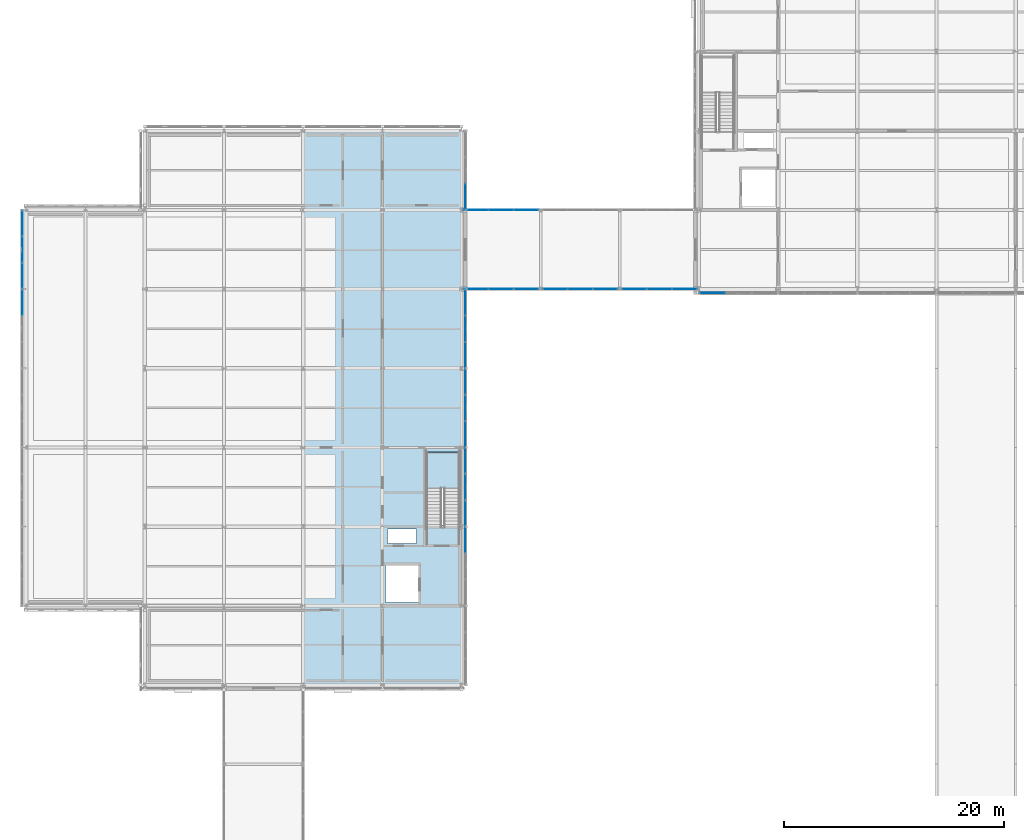
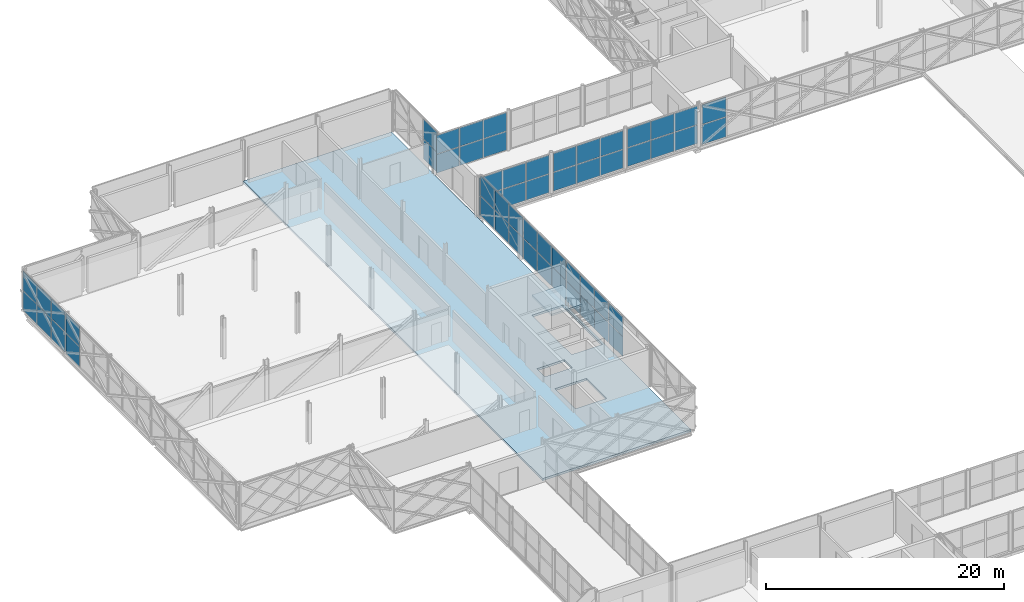
# One storey, part 79 of 126: 56 plates, 2 slabs, 13 elements without a shape of their own.
"""IFC4 building model written with IfcOpenShell, lengths in metres."""

from ifc_helpers import new_model, si_unit, direction, frame, origin, origin_2d, place, context, subcontext, project, spatial, polyline, rectangle, outline, extrude, material, layer, layer_set, type_object, element, aggregate, save


model = new_model("IFC4")

# Units and contexts
model_context = context("Model", 3, precision=1e-05, world=origin(), true_north=direction((0.0, 1.0)))
body_context = subcontext(model_context, "Body", "Model", "MODEL_VIEW")
ifc_project = project(units=[si_unit("LENGTHUNIT", "METRE"), si_unit("AREAUNIT", "SQUARE_METRE"), si_unit("VOLUMEUNIT", "CUBIC_METRE"), si_unit("PLANEANGLEUNIT", "RADIAN"), si_unit("MASSUNIT", "GRAM", prefix="KILO")], contexts=[model_context])

# Site, building, storey
site_placement = place(None, origin())
site = spatial("IfcSite", under=ifc_project, at=site_placement, CompositionType="ELEMENT")
building_placement = place(site_placement, origin())
building = spatial("IfcBuilding", under=site, at=building_placement, Name="Zlatovets Crest Museum", CompositionType="ELEMENT")
storey_placement = place(building_placement, frame((0.0, 0.0, 8.699951171875)))
storey = spatial("IfcBuildingStorey", under=building, at=storey_placement, Name="L02", CompositionType="ELEMENT", Elevation=8.699951171875)

# Curtain wall, plates
ifc_material_1 = material(Name="Bronze-anodised aluminium and low-E triple glass", Category="aluminium")
curtain_wall_type_1 = type_object("IfcCurtainWallType", Name="CW_CW-BR3-L02-S69", PredefinedType="NOTDEFINED", material=ifc_material_1)
curtain_wall_1_placement = place(storey_placement, origin())
curtain_wall_1 = element("IfcCurtainWall", 1, at=curtain_wall_1_placement, inside=storey, type_object=curtain_wall_type_1, Name="Northwest Crest Glazed Link Bridge L02 Glazed Bridge Curtain Wall", PredefinedType="NOTDEFINED")
ifc_material_2 = material(Name="Solar-control low-E laminated triple glass", Category="glass")
ifc_layer_1 = layer(ifc_material_2, 0.030029296875)
ifc_layer_set_1 = layer_set([ifc_layer_1], Name="Solar-control low-E laminated triple glass")
plate_type_1 = type_object("IfcPlateType", Name="CWPanel_CW-BR3-L02-S69", PredefinedType="CURTAIN_PANEL", material=ifc_layer_set_1)
plate_1_placement = place(storey_placement, frame((37.31494140625, 86.39990234375, 0.06005859375), z_axis=(0.0, 0.0, 1.0), x_axis=(1.0, 0.0, 0.0)))
plate_1 = element("IfcPlate", 2, at=plate_1_placement, type_object=plate_type_1, Name="CW-BR3-L02-S69 panel 1.1", PredefinedType="CURTAIN_PANEL", context=body_context, shape_type="SweptSolid", body=[
    extrude(rectangle(XDim=2.2099609375, YDim=0.030029296875, at=origin_2d()), origin(), (0.0, 0.0, 1.0), 1.89990234375),
])
plate_2_placement = place(storey_placement, frame((37.31494140625, 86.39990234375, 2.02001953125), z_axis=(0.0, 0.0, 1.0), x_axis=(1.0, 0.0, 0.0)))
plate_2 = element("IfcPlate", 3, at=plate_2_placement, type_object=plate_type_1, Name="CW-BR3-L02-S69 panel 1.2", PredefinedType="CURTAIN_PANEL", context=body_context, shape_type="SweptSolid", body=[
    extrude(rectangle(XDim=2.2099609375, YDim=0.030029296875, at=origin_2d()), origin(), (0.0, 0.0, 1.0), 1.89990234375),
])
plate_3_placement = place(storey_placement, frame((39.60009765625, 86.39990234375, 0.06005859375), z_axis=(0.0, 0.0, 1.0), x_axis=(1.0, 0.0, 0.0)))
plate_3 = element("IfcPlate", 4, at=plate_3_placement, type_object=plate_type_1, Name="CW-BR3-L02-S69 panel 2.1", PredefinedType="CURTAIN_PANEL", context=body_context, shape_type="SweptSolid", body=[
    extrude(rectangle(XDim=2.239990234375, YDim=0.030029296875, at=origin_2d()), origin(), (0.0, 0.0, 1.0), 1.89990234375),
])
plate_4_placement = place(storey_placement, frame((39.60009765625, 86.39990234375, 2.02001953125), z_axis=(0.0, 0.0, 1.0), x_axis=(1.0, 0.0, 0.0)))
plate_4 = element("IfcPlate", 5, at=plate_4_placement, type_object=plate_type_1, Name="CW-BR3-L02-S69 panel 2.2", PredefinedType="CURTAIN_PANEL", context=body_context, shape_type="SweptSolid", body=[
    extrude(rectangle(XDim=2.239990234375, YDim=0.030029296875, at=origin_2d()), origin(), (0.0, 0.0, 1.0), 1.89990234375),
])
plate_5_placement = place(storey_placement, frame((41.885009765625, 86.39990234375, 0.06005859375), z_axis=(0.0, 0.0, 1.0), x_axis=(1.0, 0.0, 0.0)))
plate_5 = element("IfcPlate", 6, at=plate_5_placement, type_object=plate_type_1, Name="CW-BR3-L02-S69 panel 3.1", PredefinedType="CURTAIN_PANEL", context=body_context, shape_type="SweptSolid", body=[
    extrude(rectangle(XDim=2.2099609375, YDim=0.030029296875, at=origin_2d()), origin(), (0.0, 0.0, 1.0), 1.89990234375),
])
plate_6_placement = place(storey_placement, frame((41.885009765625, 86.39990234375, 2.02001953125), z_axis=(0.0, 0.0, 1.0), x_axis=(1.0, 0.0, 0.0)))
plate_6 = element("IfcPlate", 7, at=plate_6_placement, type_object=plate_type_1, Name="CW-BR3-L02-S69 panel 3.2", PredefinedType="CURTAIN_PANEL", context=body_context, shape_type="SweptSolid", body=[
    extrude(rectangle(XDim=2.2099609375, YDim=0.030029296875, at=origin_2d()), origin(), (0.0, 0.0, 1.0), 1.89990234375),
])
aggregate(curtain_wall_1, [plate_1, plate_2, plate_3, plate_4, plate_5, plate_6])

curtain_wall_2_placement = place(storey_placement, origin())
curtain_wall_2 = element("IfcCurtainWall", 8, at=curtain_wall_2_placement, inside=storey, type_object=curtain_wall_type_1, Name="Northwest Crest Glazed Link Bridge L02 Glazed Bridge Curtain Wall", PredefinedType="NOTDEFINED")
plate_7_placement = place(storey_placement, frame((44.514892578125, 86.39990234375, 0.06005859375), z_axis=(0.0, 0.0, 1.0), x_axis=(1.0, 0.0, 0.0)))
plate_7 = element("IfcPlate", 9, at=plate_7_placement, type_object=plate_type_1, Name="CW-BR3-L02-S69 panel 1.1", PredefinedType="CURTAIN_PANEL", context=body_context, shape_type="SweptSolid", body=[
    extrude(rectangle(XDim=2.2099609375, YDim=0.030029296875, at=origin_2d()), origin(), (0.0, 0.0, 1.0), 1.89990234375),
])
plate_8_placement = place(storey_placement, frame((44.514892578125, 86.39990234375, 2.02001953125), z_axis=(0.0, 0.0, 1.0), x_axis=(1.0, 0.0, 0.0)))
plate_8 = element("IfcPlate", 10, at=plate_8_placement, type_object=plate_type_1, Name="CW-BR3-L02-S69 panel 1.2", PredefinedType="CURTAIN_PANEL", context=body_context, shape_type="SweptSolid", body=[
    extrude(rectangle(XDim=2.2099609375, YDim=0.030029296875, at=origin_2d()), origin(), (0.0, 0.0, 1.0), 1.89990234375),
])
plate_9_placement = place(storey_placement, frame((46.800048828125, 86.39990234375, 0.06005859375), z_axis=(0.0, 0.0, 1.0), x_axis=(1.0, 0.0, 0.0)))
plate_9 = element("IfcPlate", 11, at=plate_9_placement, type_object=plate_type_1, Name="CW-BR3-L02-S69 panel 2.1", PredefinedType="CURTAIN_PANEL", context=body_context, shape_type="SweptSolid", body=[
    extrude(rectangle(XDim=2.239990234375, YDim=0.030029296875, at=origin_2d()), origin(), (0.0, 0.0, 1.0), 1.89990234375),
])
plate_10_placement = place(storey_placement, frame((46.800048828125, 86.39990234375, 2.02001953125), z_axis=(0.0, 0.0, 1.0), x_axis=(1.0, 0.0, 0.0)))
plate_10 = element("IfcPlate", 12, at=plate_10_placement, type_object=plate_type_1, Name="CW-BR3-L02-S69 panel 2.2", PredefinedType="CURTAIN_PANEL", context=body_context, shape_type="SweptSolid", body=[
    extrude(rectangle(XDim=2.239990234375, YDim=0.030029296875, at=origin_2d()), origin(), (0.0, 0.0, 1.0), 1.89990234375),
])
plate_11_placement = place(storey_placement, frame((49.0849609375, 86.39990234375, 0.06005859375), z_axis=(0.0, 0.0, 1.0), x_axis=(1.0, 0.0, 0.0)))
plate_11 = element("IfcPlate", 13, at=plate_11_placement, type_object=plate_type_1, Name="CW-BR3-L02-S69 panel 3.1", PredefinedType="CURTAIN_PANEL", context=body_context, shape_type="SweptSolid", body=[
    extrude(rectangle(XDim=2.2099609375, YDim=0.030029296875, at=origin_2d()), origin(), (0.0, 0.0, 1.0), 1.89990234375),
])
plate_12_placement = place(storey_placement, frame((49.0849609375, 86.39990234375, 2.02001953125), z_axis=(0.0, 0.0, 1.0), x_axis=(1.0, 0.0, 0.0)))
plate_12 = element("IfcPlate", 14, at=plate_12_placement, type_object=plate_type_1, Name="CW-BR3-L02-S69 panel 3.2", PredefinedType="CURTAIN_PANEL", context=body_context, shape_type="SweptSolid", body=[
    extrude(rectangle(XDim=2.2099609375, YDim=0.030029296875, at=origin_2d()), origin(), (0.0, 0.0, 1.0), 1.89990234375),
])
aggregate(curtain_wall_2, [plate_7, plate_8, plate_9, plate_10, plate_11, plate_12])

curtain_wall_3_placement = place(storey_placement, origin())
curtain_wall_3 = element("IfcCurtainWall", 15, at=curtain_wall_3_placement, inside=storey, type_object=curtain_wall_type_1, Name="Northwest Crest Glazed Link Bridge L02 Glazed Bridge Curtain Wall", PredefinedType="NOTDEFINED")
plate_13_placement = place(storey_placement, frame((51.715087890625, 86.39990234375, 0.06005859375), z_axis=(0.0, 0.0, 1.0), x_axis=(1.0, 0.0, 0.0)))
plate_13 = element("IfcPlate", 16, at=plate_13_placement, type_object=plate_type_1, Name="CW-BR3-L02-S69 panel 1.1", PredefinedType="CURTAIN_PANEL", context=body_context, shape_type="SweptSolid", body=[
    extrude(rectangle(XDim=2.2099609375, YDim=0.030029296875, at=origin_2d()), origin(), (0.0, 0.0, 1.0), 1.89990234375),
])
plate_14_placement = place(storey_placement, frame((51.715087890625, 86.39990234375, 2.02001953125), z_axis=(0.0, 0.0, 1.0), x_axis=(1.0, 0.0, 0.0)))
plate_14 = element("IfcPlate", 17, at=plate_14_placement, type_object=plate_type_1, Name="CW-BR3-L02-S69 panel 1.2", PredefinedType="CURTAIN_PANEL", context=body_context, shape_type="SweptSolid", body=[
    extrude(rectangle(XDim=2.2099609375, YDim=0.030029296875, at=origin_2d()), origin(), (0.0, 0.0, 1.0), 1.89990234375),
])
plate_15_placement = place(storey_placement, frame((54.0, 86.39990234375, 0.06005859375), z_axis=(0.0, 0.0, 1.0), x_axis=(1.0, 0.0, 0.0)))
plate_15 = element("IfcPlate", 18, at=plate_15_placement, type_object=plate_type_1, Name="CW-BR3-L02-S69 panel 2.1", PredefinedType="CURTAIN_PANEL", context=body_context, shape_type="SweptSolid", body=[
    extrude(rectangle(XDim=2.239990234375, YDim=0.030029296875, at=origin_2d()), origin(), (0.0, 0.0, 1.0), 1.89990234375),
])
plate_16_placement = place(storey_placement, frame((54.0, 86.39990234375, 2.02001953125), z_axis=(0.0, 0.0, 1.0), x_axis=(1.0, 0.0, 0.0)))
plate_16 = element("IfcPlate", 19, at=plate_16_placement, type_object=plate_type_1, Name="CW-BR3-L02-S69 panel 2.2", PredefinedType="CURTAIN_PANEL", context=body_context, shape_type="SweptSolid", body=[
    extrude(rectangle(XDim=2.239990234375, YDim=0.030029296875, at=origin_2d()), origin(), (0.0, 0.0, 1.0), 1.89990234375),
])
plate_17_placement = place(storey_placement, frame((56.284912109375, 86.39990234375, 0.06005859375), z_axis=(0.0, 0.0, 1.0), x_axis=(1.0, 0.0, 0.0)))
plate_17 = element("IfcPlate", 20, at=plate_17_placement, type_object=plate_type_1, Name="CW-BR3-L02-S69 panel 3.1", PredefinedType="CURTAIN_PANEL", context=body_context, shape_type="SweptSolid", body=[
    extrude(rectangle(XDim=2.2099609375, YDim=0.030029296875, at=origin_2d()), origin(), (0.0, 0.0, 1.0), 1.89990234375),
])
plate_18_placement = place(storey_placement, frame((56.284912109375, 86.39990234375, 2.02001953125), z_axis=(0.0, 0.0, 1.0), x_axis=(1.0, 0.0, 0.0)))
plate_18 = element("IfcPlate", 21, at=plate_18_placement, type_object=plate_type_1, Name="CW-BR3-L02-S69 panel 3.2", PredefinedType="CURTAIN_PANEL", context=body_context, shape_type="SweptSolid", body=[
    extrude(rectangle(XDim=2.2099609375, YDim=0.030029296875, at=origin_2d()), origin(), (0.0, 0.0, 1.0), 1.89990234375),
])
aggregate(curtain_wall_3, [plate_13, plate_14, plate_15, plate_16, plate_17, plate_18])

curtain_wall_4_placement = place(storey_placement, origin())
curtain_wall_4 = element("IfcCurtainWall", 22, at=curtain_wall_4_placement, inside=storey, type_object=curtain_wall_type_1, Name="Northwest Crest Glazed Link Bridge L02 Glazed Bridge Curtain Wall", PredefinedType="NOTDEFINED")
plate_19_placement = place(storey_placement, frame((37.31494140625, 93.60009765625, 0.06005859375), z_axis=(0.0, 0.0, 1.0), x_axis=(1.0, 0.0, 0.0)))
plate_19 = element("IfcPlate", 23, at=plate_19_placement, type_object=plate_type_1, Name="CW-BR3-L02-S69 panel 1.1", PredefinedType="CURTAIN_PANEL", context=body_context, shape_type="SweptSolid", body=[
    extrude(rectangle(XDim=2.2099609375, YDim=0.030029296875, at=origin_2d()), origin(), (0.0, 0.0, 1.0), 1.89990234375),
])
plate_20_placement = place(storey_placement, frame((37.31494140625, 93.60009765625, 2.02001953125), z_axis=(0.0, 0.0, 1.0), x_axis=(1.0, 0.0, 0.0)))
plate_20 = element("IfcPlate", 24, at=plate_20_placement, type_object=plate_type_1, Name="CW-BR3-L02-S69 panel 1.2", PredefinedType="CURTAIN_PANEL", context=body_context, shape_type="SweptSolid", body=[
    extrude(rectangle(XDim=2.2099609375, YDim=0.030029296875, at=origin_2d()), origin(), (0.0, 0.0, 1.0), 1.89990234375),
])
plate_21_placement = place(storey_placement, frame((39.60009765625, 93.60009765625, 0.06005859375), z_axis=(0.0, 0.0, 1.0), x_axis=(1.0, 0.0, 0.0)))
plate_21 = element("IfcPlate", 25, at=plate_21_placement, type_object=plate_type_1, Name="CW-BR3-L02-S69 panel 2.1", PredefinedType="CURTAIN_PANEL", context=body_context, shape_type="SweptSolid", body=[
    extrude(rectangle(XDim=2.239990234375, YDim=0.030029296875, at=origin_2d()), origin(), (0.0, 0.0, 1.0), 1.89990234375),
])
plate_22_placement = place(storey_placement, frame((39.60009765625, 93.60009765625, 2.02001953125), z_axis=(0.0, 0.0, 1.0), x_axis=(1.0, 0.0, 0.0)))
plate_22 = element("IfcPlate", 26, at=plate_22_placement, type_object=plate_type_1, Name="CW-BR3-L02-S69 panel 2.2", PredefinedType="CURTAIN_PANEL", context=body_context, shape_type="SweptSolid", body=[
    extrude(rectangle(XDim=2.239990234375, YDim=0.030029296875, at=origin_2d()), origin(), (0.0, 0.0, 1.0), 1.89990234375),
])
plate_23_placement = place(storey_placement, frame((41.885009765625, 93.60009765625, 0.06005859375), z_axis=(0.0, 0.0, 1.0), x_axis=(1.0, 0.0, 0.0)))
plate_23 = element("IfcPlate", 27, at=plate_23_placement, type_object=plate_type_1, Name="CW-BR3-L02-S69 panel 3.1", PredefinedType="CURTAIN_PANEL", context=body_context, shape_type="SweptSolid", body=[
    extrude(rectangle(XDim=2.2099609375, YDim=0.030029296875, at=origin_2d()), origin(), (0.0, 0.0, 1.0), 1.89990234375),
])
plate_24_placement = place(storey_placement, frame((41.885009765625, 93.60009765625, 2.02001953125), z_axis=(0.0, 0.0, 1.0), x_axis=(1.0, 0.0, 0.0)))
plate_24 = element("IfcPlate", 28, at=plate_24_placement, type_object=plate_type_1, Name="CW-BR3-L02-S69 panel 3.2", PredefinedType="CURTAIN_PANEL", context=body_context, shape_type="SweptSolid", body=[
    extrude(rectangle(XDim=2.2099609375, YDim=0.030029296875, at=origin_2d()), origin(), (0.0, 0.0, 1.0), 1.89990234375),
])
aggregate(curtain_wall_4, [plate_19, plate_20, plate_21, plate_22, plate_23, plate_24])

curtain_wall_type_2 = type_object("IfcCurtainWallType", Name="CW_CW-V1-L02-M0", PredefinedType="NOTDEFINED", material=ifc_material_1)
curtain_wall_5_placement = place(storey_placement, origin())
curtain_wall_5 = element("IfcCurtainWall", 29, at=curtain_wall_5_placement, inside=storey, type_object=curtain_wall_type_2, Name="V1 L02 Secession Foyer Clear Curtain Wall", PredefinedType="NOTDEFINED")
ifc_layer_2 = layer(ifc_material_2, 0.028076171875)
ifc_layer_set_2 = layer_set([ifc_layer_2], Name="Solar-control low-E laminated triple glass")
plate_type_2 = type_object("IfcPlateType", Name="CWPanel_CW-V1-L02-M0", PredefinedType="CURTAIN_PANEL", material=ifc_layer_set_2)
plate_25_placement = place(storey_placement, frame((58.81494140625, 86.06005859375, 0.06005859375), z_axis=(0.0, 0.0, 1.0), x_axis=(1.0, 0.0, 0.0)))
plate_25 = element("IfcPlate", 30, at=plate_25_placement, type_object=plate_type_2, Name="CW-V1-L02-M0 panel 1.1", PredefinedType="CURTAIN_PANEL", context=body_context, shape_type="SweptSolid", body=[
    extrude(rectangle(XDim=2.31005859375, YDim=0.028076171875, at=origin_2d()), origin(), (0.0, 0.0, 1.0), 2.010009765625),
])
plate_26_placement = place(storey_placement, frame((58.81494140625, 86.06005859375, 2.1298828125), z_axis=(0.0, 0.0, 1.0), x_axis=(1.0, 0.0, 0.0)))
plate_26 = element("IfcPlate", 31, at=plate_26_placement, type_object=plate_type_2, Name="CW-V1-L02-M0 panel 1.2", PredefinedType="CURTAIN_PANEL", context=body_context, shape_type="SweptSolid", body=[
    extrude(rectangle(XDim=2.31005859375, YDim=0.028076171875, at=origin_2d()), origin(), (0.0, 0.0, 1.0), 2.010009765625),
])
aggregate(curtain_wall_5, [plate_25, plate_26])

curtain_wall_type_3 = type_object("IfcCurtainWallType", Name="CW_CW-V4-L02-M0", PredefinedType="NOTDEFINED", material=ifc_material_1)
curtain_wall_6_placement = place(storey_placement, origin())
curtain_wall_6 = element("IfcCurtainWall", 32, at=curtain_wall_6_placement, inside=storey, type_object=curtain_wall_type_3, Name="V4 L02 Secession Foyer Clear Curtain Wall", PredefinedType="NOTDEFINED")
ifc_layer_3 = layer(ifc_material_2, 0.028076171875)
ifc_layer_set_3 = layer_set([ifc_layer_3], Name="Solar-control low-E laminated triple glass")
plate_type_3 = type_object("IfcPlateType", Name="CWPanel_CW-V4-L02-M0", PredefinedType="CURTAIN_PANEL", material=ifc_layer_set_3)
plate_27_placement = place(storey_placement, frame((36.340087890625, 80.4150390625, 0.06005859375), z_axis=(0.0, 0.0, 1.0), x_axis=(0.0, 1.0, 0.0)))
plate_27 = element("IfcPlate", 33, at=plate_27_placement, type_object=plate_type_3, Name="CW-V4-L02-M0 panel 1.1", PredefinedType="CURTAIN_PANEL", context=body_context, shape_type="SweptSolid", body=[
    extrude(rectangle(XDim=2.31005859375, YDim=0.028076171875, at=origin_2d()), origin(), (0.0, 0.0, 1.0), 2.010009765625),
])
plate_28_placement = place(storey_placement, frame((36.340087890625, 80.4150390625, 2.1298828125), z_axis=(0.0, 0.0, 1.0), x_axis=(0.0, 1.0, 0.0)))
plate_28 = element("IfcPlate", 34, at=plate_28_placement, type_object=plate_type_3, Name="CW-V4-L02-M0 panel 1.2", PredefinedType="CURTAIN_PANEL", context=body_context, shape_type="SweptSolid", body=[
    extrude(rectangle(XDim=2.31005859375, YDim=0.028076171875, at=origin_2d()), origin(), (0.0, 0.0, 1.0), 2.010009765625),
])
plate_29_placement = place(storey_placement, frame((36.340087890625, 82.800048828125, 0.06005859375), z_axis=(0.0, 0.0, 1.0), x_axis=(0.0, 1.0, 0.0)))
plate_29 = element("IfcPlate", 35, at=plate_29_placement, type_object=plate_type_3, Name="CW-V4-L02-M0 panel 2.1", PredefinedType="CURTAIN_PANEL", context=body_context, shape_type="SweptSolid", body=[
    extrude(rectangle(XDim=2.340087890625, YDim=0.028076171875, at=origin_2d()), origin(), (0.0, 0.0, 1.0), 2.010009765625),
])
plate_30_placement = place(storey_placement, frame((36.340087890625, 82.800048828125, 2.1298828125), z_axis=(0.0, 0.0, 1.0), x_axis=(0.0, 1.0, 0.0)))
plate_30 = element("IfcPlate", 36, at=plate_30_placement, type_object=plate_type_3, Name="CW-V4-L02-M0 panel 2.2", PredefinedType="CURTAIN_PANEL", context=body_context, shape_type="SweptSolid", body=[
    extrude(rectangle(XDim=2.340087890625, YDim=0.028076171875, at=origin_2d()), origin(), (0.0, 0.0, 1.0), 2.010009765625),
])
plate_31_placement = place(storey_placement, frame((36.340087890625, 85.18505859375, 0.06005859375), z_axis=(0.0, 0.0, 1.0), x_axis=(0.0, 1.0, 0.0)))
plate_31 = element("IfcPlate", 37, at=plate_31_placement, type_object=plate_type_3, Name="CW-V4-L02-M0 panel 3.1", PredefinedType="CURTAIN_PANEL", context=body_context, shape_type="SweptSolid", body=[
    extrude(rectangle(XDim=2.31005859375, YDim=0.028076171875, at=origin_2d()), origin(), (0.0, 0.0, 1.0), 2.010009765625),
])
plate_32_placement = place(storey_placement, frame((36.340087890625, 85.18505859375, 2.1298828125), z_axis=(0.0, 0.0, 1.0), x_axis=(0.0, 1.0, 0.0)))
plate_32 = element("IfcPlate", 38, at=plate_32_placement, type_object=plate_type_3, Name="CW-V4-L02-M0 panel 3.2", PredefinedType="CURTAIN_PANEL", context=body_context, shape_type="SweptSolid", body=[
    extrude(rectangle(XDim=2.31005859375, YDim=0.028076171875, at=origin_2d()), origin(), (0.0, 0.0, 1.0), 2.010009765625),
])
aggregate(curtain_wall_6, [plate_27, plate_28, plate_29, plate_30, plate_31, plate_32])

curtain_wall_type_4 = type_object("IfcCurtainWallType", Name="CW_CW-V4-L02-M1", PredefinedType="NOTDEFINED", material=ifc_material_1)
curtain_wall_7_placement = place(storey_placement, origin())
curtain_wall_7 = element("IfcCurtainWall", 39, at=curtain_wall_7_placement, inside=storey, type_object=curtain_wall_type_4, Name="V4 L02 Expressed Core Glazed Facade", PredefinedType="NOTDEFINED")
ifc_layer_4 = layer(ifc_material_2, 0.030029296875)
ifc_layer_set_4 = layer_set([ifc_layer_4], Name="Solar-control low-E laminated triple glass")
plate_type_4 = type_object("IfcPlateType", Name="CWPanel_CW-V4-L02-M1", PredefinedType="CURTAIN_PANEL", material=ifc_layer_set_4)
plate_33_placement = place(storey_placement, frame((36.340087890625, 63.5849609375, 0.06005859375), z_axis=(0.0, 0.0, 1.0), x_axis=(0.0, 1.0, 0.0)))
plate_33 = element("IfcPlate", 40, at=plate_33_placement, type_object=plate_type_4, Name="CW-V4-L02-M1 panel 3.1", PredefinedType="CURTAIN_PANEL", context=body_context, shape_type="SweptSolid", body=[
    extrude(rectangle(XDim=2.31005859375, YDim=0.030029296875, at=origin_2d()), origin(), (0.0, 0.0, 1.0), 2.010009765625),
])
plate_34_placement = place(storey_placement, frame((36.340087890625, 63.5849609375, 2.1298828125), z_axis=(0.0, 0.0, 1.0), x_axis=(0.0, 1.0, 0.0)))
plate_34 = element("IfcPlate", 41, at=plate_34_placement, type_object=plate_type_4, Name="CW-V4-L02-M1 panel 3.2", PredefinedType="CURTAIN_PANEL", context=body_context, shape_type="SweptSolid", body=[
    extrude(rectangle(XDim=2.31005859375, YDim=0.030029296875, at=origin_2d()), origin(), (0.0, 0.0, 1.0), 2.010009765625),
])
aggregate(curtain_wall_7, [plate_33, plate_34])

curtain_wall_type_5 = type_object("IfcCurtainWallType", Name="CW_CW-V4-L02-M2", PredefinedType="NOTDEFINED", material=ifc_material_1)
curtain_wall_8_placement = place(storey_placement, origin())
curtain_wall_8 = element("IfcCurtainWall", 42, at=curtain_wall_8_placement, inside=storey, type_object=curtain_wall_type_5, Name="V4 L02 Expressed Core Glazed Facade", PredefinedType="NOTDEFINED")
ifc_layer_5 = layer(ifc_material_2, 0.030029296875)
ifc_layer_set_5 = layer_set([ifc_layer_5], Name="Solar-control low-E laminated triple glass")
plate_type_5 = type_object("IfcPlateType", Name="CWPanel_CW-V4-L02-M2", PredefinedType="CURTAIN_PANEL", material=ifc_layer_set_5)
plate_35_placement = place(storey_placement, frame((36.340087890625, 66.014892578125, 0.06005859375), z_axis=(0.0, 0.0, 1.0), x_axis=(0.0, 1.0, 0.0)))
plate_35 = element("IfcPlate", 43, at=plate_35_placement, type_object=plate_type_5, Name="CW-V4-L02-M2 panel 1.1", PredefinedType="CURTAIN_PANEL", context=body_context, shape_type="SweptSolid", body=[
    extrude(rectangle(XDim=2.31005859375, YDim=0.030029296875, at=origin_2d()), origin(), (0.0, 0.0, 1.0), 2.010009765625),
])
plate_36_placement = place(storey_placement, frame((36.340087890625, 66.014892578125, 2.1298828125), z_axis=(0.0, 0.0, 1.0), x_axis=(0.0, 1.0, 0.0)))
plate_36 = element("IfcPlate", 44, at=plate_36_placement, type_object=plate_type_5, Name="CW-V4-L02-M2 panel 1.2", PredefinedType="CURTAIN_PANEL", context=body_context, shape_type="SweptSolid", body=[
    extrude(rectangle(XDim=2.31005859375, YDim=0.030029296875, at=origin_2d()), origin(), (0.0, 0.0, 1.0), 2.010009765625),
])
plate_37_placement = place(storey_placement, frame((36.340087890625, 68.39990234375, 0.06005859375), z_axis=(0.0, 0.0, 1.0), x_axis=(0.0, 1.0, 0.0)))
plate_37 = element("IfcPlate", 45, at=plate_37_placement, type_object=plate_type_5, Name="CW-V4-L02-M2 panel 2.1", PredefinedType="CURTAIN_PANEL", context=body_context, shape_type="SweptSolid", body=[
    extrude(rectangle(XDim=2.340087890625, YDim=0.030029296875, at=origin_2d()), origin(), (0.0, 0.0, 1.0), 2.010009765625),
])
plate_38_placement = place(storey_placement, frame((36.340087890625, 68.39990234375, 2.1298828125), z_axis=(0.0, 0.0, 1.0), x_axis=(0.0, 1.0, 0.0)))
plate_38 = element("IfcPlate", 46, at=plate_38_placement, type_object=plate_type_5, Name="CW-V4-L02-M2 panel 2.2", PredefinedType="CURTAIN_PANEL", context=body_context, shape_type="SweptSolid", body=[
    extrude(rectangle(XDim=2.340087890625, YDim=0.030029296875, at=origin_2d()), origin(), (0.0, 0.0, 1.0), 2.010009765625),
])
plate_39_placement = place(storey_placement, frame((36.340087890625, 70.784912109375, 0.06005859375), z_axis=(0.0, 0.0, 1.0), x_axis=(0.0, 1.0, 0.0)))
plate_39 = element("IfcPlate", 47, at=plate_39_placement, type_object=plate_type_5, Name="CW-V4-L02-M2 panel 3.1", PredefinedType="CURTAIN_PANEL", context=body_context, shape_type="SweptSolid", body=[
    extrude(rectangle(XDim=2.31005859375, YDim=0.030029296875, at=origin_2d()), origin(), (0.0, 0.0, 1.0), 2.010009765625),
])
plate_40_placement = place(storey_placement, frame((36.340087890625, 70.784912109375, 2.1298828125), z_axis=(0.0, 0.0, 1.0), x_axis=(0.0, 1.0, 0.0)))
plate_40 = element("IfcPlate", 48, at=plate_40_placement, type_object=plate_type_5, Name="CW-V4-L02-M2 panel 3.2", PredefinedType="CURTAIN_PANEL", context=body_context, shape_type="SweptSolid", body=[
    extrude(rectangle(XDim=2.31005859375, YDim=0.030029296875, at=origin_2d()), origin(), (0.0, 0.0, 1.0), 2.010009765625),
])
aggregate(curtain_wall_8, [plate_35, plate_36, plate_37, plate_38, plate_39, plate_40])

curtain_wall_9_placement = place(storey_placement, origin())
curtain_wall_9 = element("IfcCurtainWall", 49, at=curtain_wall_9_placement, inside=storey, type_object=curtain_wall_type_5, Name="V4 L02 Secession Foyer Clear Curtain Wall", PredefinedType="NOTDEFINED")
plate_41_placement = place(storey_placement, frame((36.340087890625, 94.81494140625, 0.06005859375), z_axis=(0.0, 0.0, 1.0), x_axis=(0.0, 1.0, 0.0)))
plate_41 = element("IfcPlate", 50, at=plate_41_placement, type_object=plate_type_5, Name="CW-V4-L02-M2 panel 1.1", PredefinedType="CURTAIN_PANEL", context=body_context, shape_type="SweptSolid", body=[
    extrude(rectangle(XDim=2.31005859375, YDim=0.035888671875, at=origin_2d()), origin(), (0.0, 0.0, 1.0), 2.010009765625),
])
plate_42_placement = place(storey_placement, frame((36.340087890625, 94.81494140625, 2.1298828125), z_axis=(0.0, 0.0, 1.0), x_axis=(0.0, 1.0, 0.0)))
plate_42 = element("IfcPlate", 51, at=plate_42_placement, type_object=plate_type_5, Name="CW-V4-L02-M2 panel 1.2", PredefinedType="CURTAIN_PANEL", context=body_context, shape_type="SweptSolid", body=[
    extrude(rectangle(XDim=2.31005859375, YDim=0.035888671875, at=origin_2d()), origin(), (0.0, 0.0, 1.0), 2.010009765625),
])
aggregate(curtain_wall_9, [plate_41, plate_42])

curtain_wall_10_placement = place(storey_placement, origin())
curtain_wall_10 = element("IfcCurtainWall", 52, at=curtain_wall_10_placement, inside=storey, type_object=curtain_wall_type_5, Name="V4 L02 Secession Foyer Clear Curtain Wall", PredefinedType="NOTDEFINED")
plate_43_placement = place(storey_placement, frame((-3.93994140625, 92.385009765625, 0.06005859375), z_axis=(0.0, 0.0, 1.0), x_axis=(0.0, -1.0, 0.0)))
plate_43 = element("IfcPlate", 53, at=plate_43_placement, type_object=plate_type_5, Name="CW-V4-L02-M2 panel 1.1", PredefinedType="CURTAIN_PANEL", context=body_context, shape_type="SweptSolid", body=[
    extrude(rectangle(XDim=2.31005859375, YDim=0.035888671875, at=origin_2d()), origin(), (0.0, 0.0, 1.0), 2.010009765625),
])
plate_44_placement = place(storey_placement, frame((-3.93994140625, 92.385009765625, 2.1298828125), z_axis=(0.0, 0.0, 1.0), x_axis=(0.0, -1.0, 0.0)))
plate_44 = element("IfcPlate", 54, at=plate_44_placement, type_object=plate_type_5, Name="CW-V4-L02-M2 panel 1.2", PredefinedType="CURTAIN_PANEL", context=body_context, shape_type="SweptSolid", body=[
    extrude(rectangle(XDim=2.31005859375, YDim=0.035888671875, at=origin_2d()), origin(), (0.0, 0.0, 1.0), 2.010009765625),
])
plate_45_placement = place(storey_placement, frame((-3.93994140625, 90.0, 0.06005859375), z_axis=(0.0, 0.0, 1.0), x_axis=(0.0, -1.0, 0.0)))
plate_45 = element("IfcPlate", 55, at=plate_45_placement, type_object=plate_type_5, Name="CW-V4-L02-M2 panel 2.1", PredefinedType="CURTAIN_PANEL", context=body_context, shape_type="SweptSolid", body=[
    extrude(rectangle(XDim=2.340087890625, YDim=0.035888671875, at=origin_2d()), origin(), (0.0, 0.0, 1.0), 2.010009765625),
])
plate_46_placement = place(storey_placement, frame((-3.93994140625, 90.0, 2.1298828125), z_axis=(0.0, 0.0, 1.0), x_axis=(0.0, -1.0, 0.0)))
plate_46 = element("IfcPlate", 56, at=plate_46_placement, type_object=plate_type_5, Name="CW-V4-L02-M2 panel 2.2", PredefinedType="CURTAIN_PANEL", context=body_context, shape_type="SweptSolid", body=[
    extrude(rectangle(XDim=2.340087890625, YDim=0.035888671875, at=origin_2d()), origin(), (0.0, 0.0, 1.0), 2.010009765625),
])
plate_47_placement = place(storey_placement, frame((-3.93994140625, 87.614990234375, 0.06005859375), z_axis=(0.0, 0.0, 1.0), x_axis=(0.0, -1.0, 0.0)))
plate_47 = element("IfcPlate", 57, at=plate_47_placement, type_object=plate_type_5, Name="CW-V4-L02-M2 panel 3.1", PredefinedType="CURTAIN_PANEL", context=body_context, shape_type="SweptSolid", body=[
    extrude(rectangle(XDim=2.31005859375, YDim=0.035888671875, at=origin_2d()), origin(), (0.0, 0.0, 1.0), 2.010009765625),
])
plate_48_placement = place(storey_placement, frame((-3.93994140625, 87.614990234375, 2.1298828125), z_axis=(0.0, 0.0, 1.0), x_axis=(0.0, -1.0, 0.0)))
plate_48 = element("IfcPlate", 58, at=plate_48_placement, type_object=plate_type_5, Name="CW-V4-L02-M2 panel 3.2", PredefinedType="CURTAIN_PANEL", context=body_context, shape_type="SweptSolid", body=[
    extrude(rectangle(XDim=2.31005859375, YDim=0.035888671875, at=origin_2d()), origin(), (0.0, 0.0, 1.0), 2.010009765625),
])
aggregate(curtain_wall_10, [plate_43, plate_44, plate_45, plate_46, plate_47, plate_48])

curtain_wall_type_6 = type_object("IfcCurtainWallType", Name="CW_CW-V4-L02-M3", PredefinedType="NOTDEFINED", material=ifc_material_1)
curtain_wall_11_placement = place(storey_placement, origin())
curtain_wall_11 = element("IfcCurtainWall", 59, at=curtain_wall_11_placement, inside=storey, type_object=curtain_wall_type_6, Name="V4 L02 Secession Foyer Clear Curtain Wall", PredefinedType="NOTDEFINED")
ifc_layer_6 = layer(ifc_material_2, 0.0400390625)
ifc_layer_set_6 = layer_set([ifc_layer_6], Name="Solar-control low-E laminated triple glass")
plate_type_6 = type_object("IfcPlateType", Name="CWPanel_CW-V4-L02-M3", PredefinedType="CURTAIN_PANEL", material=ifc_layer_set_6)
plate_49_placement = place(storey_placement, frame((36.340087890625, 73.215087890625, 0.06005859375), z_axis=(0.0, 0.0, 1.0), x_axis=(0.0, 1.0, 0.0)))
plate_49 = element("IfcPlate", 60, at=plate_49_placement, type_object=plate_type_6, Name="CW-V4-L02-M3 panel 1.1", PredefinedType="CURTAIN_PANEL", context=body_context, shape_type="SweptSolid", body=[
    extrude(rectangle(XDim=2.31005859375, YDim=0.0400390625, at=origin_2d()), origin(), (0.0, 0.0, 1.0), 2.010009765625),
])
plate_50_placement = place(storey_placement, frame((36.340087890625, 73.215087890625, 2.1298828125), z_axis=(0.0, 0.0, 1.0), x_axis=(0.0, 1.0, 0.0)))
plate_50 = element("IfcPlate", 61, at=plate_50_placement, type_object=plate_type_6, Name="CW-V4-L02-M3 panel 1.2", PredefinedType="CURTAIN_PANEL", context=body_context, shape_type="SweptSolid", body=[
    extrude(rectangle(XDim=2.31005859375, YDim=0.0400390625, at=origin_2d()), origin(), (0.0, 0.0, 1.0), 2.010009765625),
])
plate_51_placement = place(storey_placement, frame((36.340087890625, 75.60009765625, 0.06005859375), z_axis=(0.0, 0.0, 1.0), x_axis=(0.0, 1.0, 0.0)))
plate_51 = element("IfcPlate", 62, at=plate_51_placement, type_object=plate_type_6, Name="CW-V4-L02-M3 panel 2.1", PredefinedType="CURTAIN_PANEL", context=body_context, shape_type="SweptSolid", body=[
    extrude(rectangle(XDim=2.340087890625, YDim=0.0400390625, at=origin_2d()), origin(), (0.0, 0.0, 1.0), 2.010009765625),
])
plate_52_placement = place(storey_placement, frame((36.340087890625, 75.60009765625, 2.1298828125), z_axis=(0.0, 0.0, 1.0), x_axis=(0.0, 1.0, 0.0)))
plate_52 = element("IfcPlate", 63, at=plate_52_placement, type_object=plate_type_6, Name="CW-V4-L02-M3 panel 2.2", PredefinedType="CURTAIN_PANEL", context=body_context, shape_type="SweptSolid", body=[
    extrude(rectangle(XDim=2.340087890625, YDim=0.0400390625, at=origin_2d()), origin(), (0.0, 0.0, 1.0), 2.010009765625),
])
plate_53_placement = place(storey_placement, frame((36.340087890625, 77.985107421875, 0.06005859375), z_axis=(0.0, 0.0, 1.0), x_axis=(0.0, 1.0, 0.0)))
plate_53 = element("IfcPlate", 64, at=plate_53_placement, type_object=plate_type_6, Name="CW-V4-L02-M3 panel 3.1", PredefinedType="CURTAIN_PANEL", context=body_context, shape_type="SweptSolid", body=[
    extrude(rectangle(XDim=2.31005859375, YDim=0.0400390625, at=origin_2d()), origin(), (0.0, 0.0, 1.0), 2.010009765625),
])
plate_54_placement = place(storey_placement, frame((36.340087890625, 77.985107421875, 2.1298828125), z_axis=(0.0, 0.0, 1.0), x_axis=(0.0, 1.0, 0.0)))
plate_54 = element("IfcPlate", 65, at=plate_54_placement, type_object=plate_type_6, Name="CW-V4-L02-M3 panel 3.2", PredefinedType="CURTAIN_PANEL", context=body_context, shape_type="SweptSolid", body=[
    extrude(rectangle(XDim=2.31005859375, YDim=0.0400390625, at=origin_2d()), origin(), (0.0, 0.0, 1.0), 2.010009765625),
])
aggregate(curtain_wall_11, [plate_49, plate_50, plate_51, plate_52, plate_53, plate_54])

curtain_wall_12_placement = place(storey_placement, origin())
curtain_wall_12 = element("IfcCurtainWall", 66, at=curtain_wall_12_placement, inside=storey, type_object=curtain_wall_type_6, Name="V4 L02 Secession Foyer Clear Curtain Wall", PredefinedType="NOTDEFINED")
plate_55_placement = place(storey_placement, frame((-3.93994140625, 85.18505859375, 0.06005859375), z_axis=(0.0, 0.0, 1.0), x_axis=(0.0, -1.0, 0.0)))
plate_55 = element("IfcPlate", 67, at=plate_55_placement, type_object=plate_type_6, Name="CW-V4-L02-M3 panel 1.1", PredefinedType="CURTAIN_PANEL", context=body_context, shape_type="SweptSolid", body=[
    extrude(rectangle(XDim=2.31005859375, YDim=0.0400390625, at=origin_2d()), origin(), (0.0, 0.0, 1.0), 2.010009765625),
])
plate_56_placement = place(storey_placement, frame((-3.93994140625, 85.18505859375, 2.1298828125), z_axis=(0.0, 0.0, 1.0), x_axis=(0.0, -1.0, 0.0)))
plate_56 = element("IfcPlate", 68, at=plate_56_placement, type_object=plate_type_6, Name="CW-V4-L02-M3 panel 1.2", PredefinedType="CURTAIN_PANEL", context=body_context, shape_type="SweptSolid", body=[
    extrude(rectangle(XDim=2.31005859375, YDim=0.0400390625, at=origin_2d()), origin(), (0.0, 0.0, 1.0), 2.010009765625),
])
aggregate(curtain_wall_12, [plate_55, plate_56])

# Slab
ifc_material_3 = material(Name="Concrete C30/37", Category="concrete")
ifc_layer_7 = layer(ifc_material_3, 0.219970703125)
ifc_layer_set_7 = layer_set([ifc_layer_7], Name="Concrete C30/37")
slab_type_1 = type_object("IfcSlabType", Name="Slab_FS-02", PredefinedType="FLOOR", material=ifc_layer_set_7)
slab_1_placement = place(storey_placement, frame((0.0, 0.0, -0.219970703125)))
element("IfcSlab", 69, at=slab_1_placement, inside=storey, type_object=slab_type_1, Name="V4 L02 Structural Slab Panel 2", PredefinedType="FLOOR", context=body_context, shape_type="SweptSolid", body=[
    extrude(outline(polyline([(21.60009765625, 100.800048828125), (36.0, 100.800048828125), (36.0, 50.39990234375), (21.60009765625, 50.39990234375), (21.60009765625, 100.800048828125)]), holes=[polyline([(32.800048828125, 64.93994140625), (35.800048828125, 64.93994140625), (35.800048828125, 71.60009765625), (32.800048828125, 71.60009765625), (32.800048828125, 64.93994140625)]), polyline([(29.10009765625, 61.300048828125), (29.10009765625, 57.89990234375), (32.14990234375, 57.89990234375), (32.14990234375, 61.300048828125), (29.10009765625, 61.300048828125)]), polyline([(31.89990234375, 64.60009765625), (29.25, 64.60009765625), (29.25, 63.25), (31.89990234375, 63.25), (31.89990234375, 64.60009765625)])]), origin(), (0.0, 0.0, 1.0), 0.219970703125),
])

# Stair, slab
ifc_material_4 = material(Name="Concrete C35/45", Category="concrete")
stair_type = type_object("IfcStairType", Name="Stair_ST4-26R", PredefinedType="HALF_TURN_STAIR", material=ifc_material_4)
stair_placement = place(storey_placement, origin())
stair = element("IfcStair", 70, at=stair_placement, inside=storey, type_object=stair_type, Name="L02 Core C4 Escape Stair ST4", PredefinedType="HALF_TURN_STAIR")
ifc_layer_8 = layer(ifc_material_4, 0.199951171875)
ifc_layer_set_8 = layer_set([ifc_layer_8], Name="Concrete C35/45")
slab_type_2 = type_object("IfcSlabType", Name="StairLanding_SLD1", PredefinedType="LANDING", material=ifc_layer_set_8)
slab_2_placement = place(storey_placement, frame((0.0, 0.0, 1.900146484375)))
slab_2 = element("IfcSlab", 71, at=slab_2_placement, type_object=slab_type_2, Name="ST4 landing 1", PredefinedType="LANDING", context=body_context, shape_type="SweptSolid", body=[
    extrude(outline(polyline([(35.800048828125, 68.300048828125), (35.800048828125, 71.60009765625), (32.800048828125, 71.60009765625), (32.800048828125, 68.300048828125), (35.800048828125, 68.300048828125)])), origin(), (0.0, 0.0, 1.0), 0.199951171875),
])
aggregate(stair, [slab_2])

save(model, "model.ifc")
